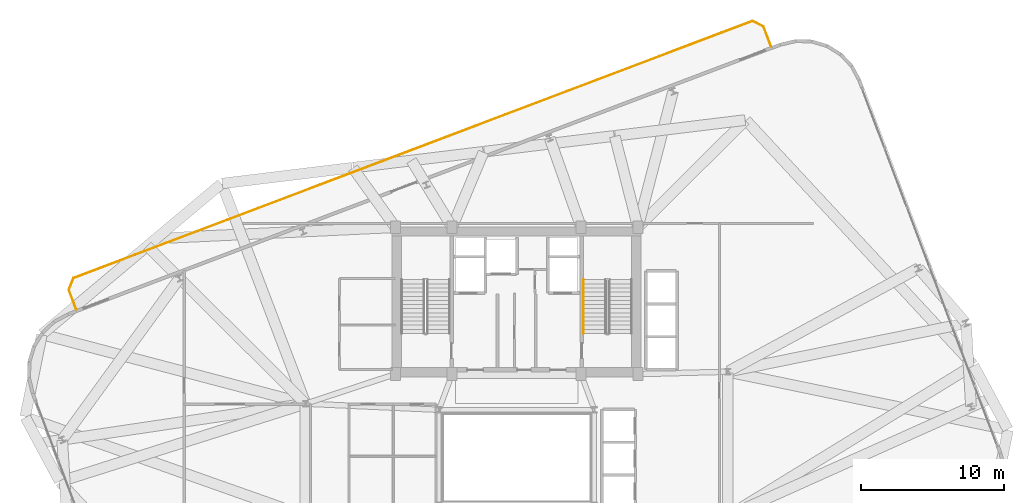
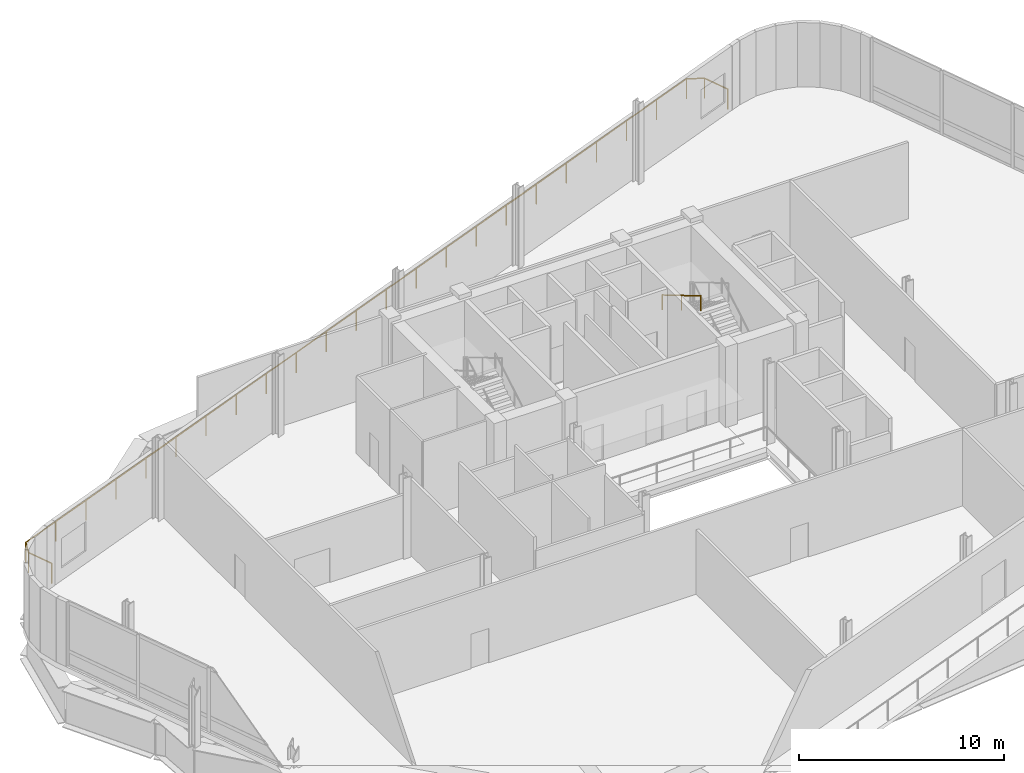
# One storey, part 18 of 19: 2 railings.
"""IFC4 building model written with IfcOpenShell, lengths in metres."""

from ifc_helpers import new_model, si_unit, direction, frame, origin, origin_2d, place, context, subcontext, project, spatial, circle, extrude, material, type_object, element, save


model = new_model("IFC4")

# Units and contexts
model_context = context("Model", 3, precision=1e-05, world=origin(), true_north=direction((0.0, 1.0)))
body_context = subcontext(model_context, "Body", "Model", "MODEL_VIEW")
ifc_project = project(units=[si_unit("LENGTHUNIT", "METRE"), si_unit("AREAUNIT", "SQUARE_METRE"), si_unit("VOLUMEUNIT", "CUBIC_METRE"), si_unit("PLANEANGLEUNIT", "RADIAN"), si_unit("MASSUNIT", "GRAM", prefix="KILO")], contexts=[model_context])

# Site, building, storey
site_placement = place(None, origin())
site = spatial("IfcSite", under=ifc_project, at=site_placement, CompositionType="ELEMENT")
building_placement = place(site_placement, origin())
building = spatial("IfcBuilding", under=site, at=building_placement, Name="Varnelok Gate Tower", CompositionType="ELEMENT")
storey_placement = place(building_placement, frame((0.0, 0.0, 207.89990234375)))
storey = spatial("IfcBuildingStorey", under=building, at=storey_placement, Name="L53", CompositionType="ELEMENT", Elevation=207.89990234375)

# Railings
ifc_material_1 = material(Name="Brushed Stainless Steel AISI 316", Category="steel")
railing_type_1 = type_object("IfcRailingType", Name="RL-HANDRAIL-900", PredefinedType="HANDRAIL", material=ifc_material_1)
railing_1_placement = place(storey_placement, frame((43.89990234375, 35.3701171875, 2.571533203125)))
element("IfcRailing", 1, at=railing_1_placement, inside=storey, type_object=railing_type_1, Name="L53 ST-2 stair handrail 2", PredefinedType="HANDRAIL", context=body_context, shape_type="SweptSolid", body=[
    extrude(circle(Radius=0.02392578125, at=origin_2d()), frame((0.0, 0.0, 0.8759765625), z_axis=(0.0, -0.860848830602, 0.508860777473), x_axis=(1.0, 0.0, 0.0)), (0.0, 0.0, 1.0), 4.37939453125),
    extrude(circle(Radius=0.02099609375, at=origin_2d()), origin(), (0.0, 0.0, 1.0), 0.851806640625),
    extrude(circle(Radius=0.02099609375, at=origin_2d()), frame((0.0, -1.885009765625, 1.1142578125)), (0.0, 0.0, 1.0), 0.851806640625),
    extrude(circle(Radius=0.02099609375, at=origin_2d()), frame((0.0, -3.77001953125, 2.228515625)), (0.0, 0.0, 1.0), 0.851806640625),
])
ifc_material_2 = material(Name="Anodized Aluminum Alloy 6063-T6", Category="aluminium")
railing_type_2 = type_object("IfcRailingType", Name="RL-SKYG-1200", PredefinedType="GUARDRAIL", material=ifc_material_2)
railing_2_placement = place(storey_placement, frame((8.33203125, 33.288330078125, 0.0)))
element("IfcRailing", 2, at=railing_2_placement, inside=storey, type_object=railing_type_2, Name="L53 North Terrace Balustrade 2", PredefinedType="GUARDRAIL", context=body_context, shape_type="SweptSolid", body=[
    extrude(circle(Radius=0.02392578125, at=origin_2d()), frame((0.0, 0.0, 1.17578125), z_axis=(-0.354088417467, 0.935211950638, 0.0), x_axis=(-0.935211950638, -0.354088417467, 0.0)), (0.0, 0.0, 1.0), 1.469970703125),
    extrude(circle(Radius=0.02392578125, at=origin_2d()), frame((-0.5205078125, 1.374755859375, 1.17578125), z_axis=(0.366495340819, 0.93041988648, 0.0), x_axis=(-0.93041988648, 0.366495340819, 0.0)), (0.0, 0.0, 1.0), 0.8779296875),
    extrude(circle(Radius=0.02392578125, at=origin_2d()), frame((-0.19873046875, 2.191650390625, 1.17578125), z_axis=(0.935222094944, 0.35406162335, 0.0), x_axis=(-0.35406162335, 0.935222094944, 0.0)), (0.0, 0.0, 1.0), 50.89990234375),
    extrude(circle(Radius=0.02392578125, at=origin_2d()), frame((47.404052734375, 20.21337890625, 1.17578125), z_axis=(0.890669956698, -0.454650446207, 0.0), x_axis=(0.454650446207, 0.890669956698, 0.0)), (0.0, 0.0, 1.0), 0.8779296875),
    extrude(circle(Radius=0.02392578125, at=origin_2d()), frame((48.18603515625, 19.814208984375, 1.17578125), z_axis=(0.353943145131, -0.935266940512, 0.0), x_axis=(0.935266940512, 0.353943145131, 0.0)), (0.0, 0.0, 1.0), 1.469970703125),
    extrude(circle(Radius=0.02099609375, at=origin_2d()), origin(), (0.0, 0.0, 1.0), 1.15185546875),
    extrude(circle(Radius=0.02099609375, at=origin_2d()), frame((-0.5205078125, 1.374755859375, 0.0)), (0.0, 0.0, 1.0), 1.15185546875),
    extrude(circle(Radius=0.02099609375, at=origin_2d()), frame((-0.19873046875, 2.191650390625, 0.0)), (0.0, 0.0, 1.0), 1.15185546875),
    extrude(circle(Radius=0.02099609375, at=origin_2d()), frame((1.965087890625, 3.0107421875, 0.0)), (0.0, 0.0, 1.0), 1.15185546875),
    extrude(circle(Radius=0.02099609375, at=origin_2d()), frame((4.12890625, 3.830078125, 0.0)), (0.0, 0.0, 1.0), 1.15185546875),
    extrude(circle(Radius=0.02099609375, at=origin_2d()), frame((6.29248046875, 4.649169921875, 0.0)), (0.0, 0.0, 1.0), 1.15185546875),
    extrude(circle(Radius=0.02099609375, at=origin_2d()), frame((8.456298828125, 5.46826171875, 0.0)), (0.0, 0.0, 1.0), 1.15185546875),
    extrude(circle(Radius=0.02099609375, at=origin_2d()), frame((10.6201171875, 6.28759765625, 0.0)), (0.0, 0.0, 1.0), 1.15185546875),
    extrude(circle(Radius=0.02099609375, at=origin_2d()), frame((12.783935546875, 7.106689453125, 0.0)), (0.0, 0.0, 1.0), 1.15185546875),
    extrude(circle(Radius=0.02099609375, at=origin_2d()), frame((14.947509765625, 7.92578125, 0.0)), (0.0, 0.0, 1.0), 1.15185546875),
    extrude(circle(Radius=0.02099609375, at=origin_2d()), frame((17.111328125, 8.7451171875, 0.0)), (0.0, 0.0, 1.0), 1.15185546875),
    extrude(circle(Radius=0.02099609375, at=origin_2d()), frame((19.275146484375, 9.564208984375, 0.0)), (0.0, 0.0, 1.0), 1.15185546875),
    extrude(circle(Radius=0.02099609375, at=origin_2d()), frame((21.43896484375, 10.38330078125, 0.0)), (0.0, 0.0, 1.0), 1.15185546875),
    extrude(circle(Radius=0.02099609375, at=origin_2d()), frame((23.6025390625, 11.20263671875, 0.0)), (0.0, 0.0, 1.0), 1.15185546875),
    extrude(circle(Radius=0.02099609375, at=origin_2d()), frame((25.766357421875, 12.021728515625, 0.0)), (0.0, 0.0, 1.0), 1.15185546875),
    extrude(circle(Radius=0.02099609375, at=origin_2d()), frame((27.93017578125, 12.8408203125, 0.0)), (0.0, 0.0, 1.0), 1.15185546875),
    extrude(circle(Radius=0.02099609375, at=origin_2d()), frame((30.093994140625, 13.659912109375, 0.0)), (0.0, 0.0, 1.0), 1.15185546875),
    extrude(circle(Radius=0.02099609375, at=origin_2d()), frame((32.2578125, 14.479248046875, 0.0)), (0.0, 0.0, 1.0), 1.15185546875),
    extrude(circle(Radius=0.02099609375, at=origin_2d()), frame((34.42138671875, 15.29833984375, 0.0)), (0.0, 0.0, 1.0), 1.15185546875),
    extrude(circle(Radius=0.02099609375, at=origin_2d()), frame((36.585205078125, 16.117431640625, 0.0)), (0.0, 0.0, 1.0), 1.15185546875),
    extrude(circle(Radius=0.02099609375, at=origin_2d()), frame((38.7490234375, 16.936767578125, 0.0)), (0.0, 0.0, 1.0), 1.15185546875),
    extrude(circle(Radius=0.02099609375, at=origin_2d()), frame((40.912841796875, 17.755859375, 0.0)), (0.0, 0.0, 1.0), 1.15185546875),
    extrude(circle(Radius=0.02099609375, at=origin_2d()), frame((43.076416015625, 18.574951171875, 0.0)), (0.0, 0.0, 1.0), 1.15185546875),
    extrude(circle(Radius=0.02099609375, at=origin_2d()), frame((45.240234375, 19.394287109375, 0.0)), (0.0, 0.0, 1.0), 1.15185546875),
    extrude(circle(Radius=0.02099609375, at=origin_2d()), frame((47.404052734375, 20.21337890625, 0.0)), (0.0, 0.0, 1.0), 1.15185546875),
    extrude(circle(Radius=0.02099609375, at=origin_2d()), frame((48.18603515625, 19.814208984375, 0.0)), (0.0, 0.0, 1.0), 1.15185546875),
    extrude(circle(Radius=0.02099609375, at=origin_2d()), frame((48.706298828125, 18.439453125, 0.0)), (0.0, 0.0, 1.0), 1.15185546875),
])

save(model, "model.ifc")
